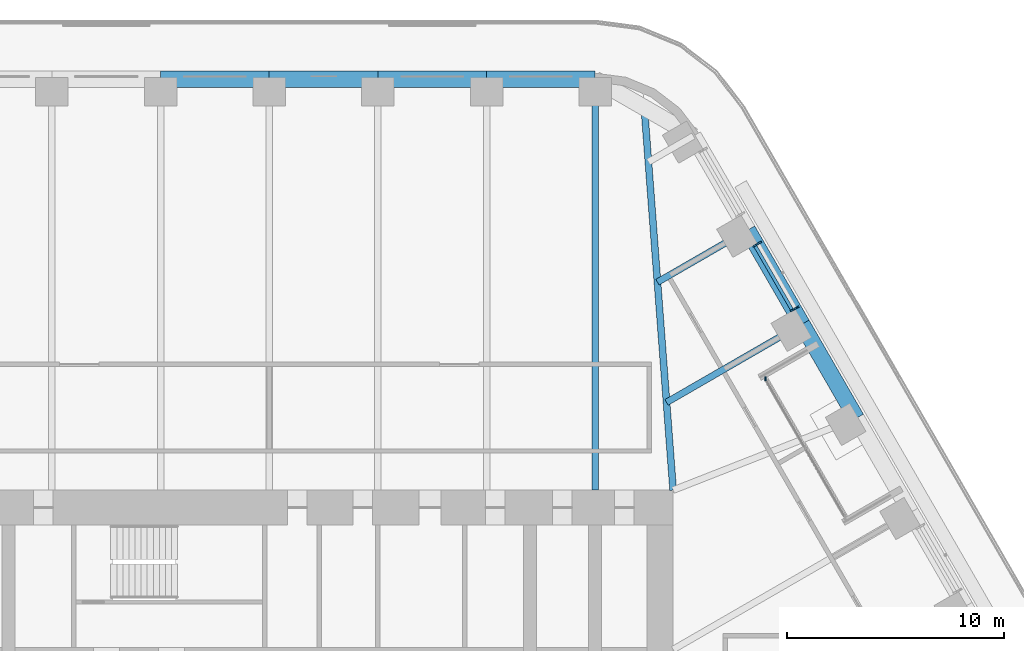
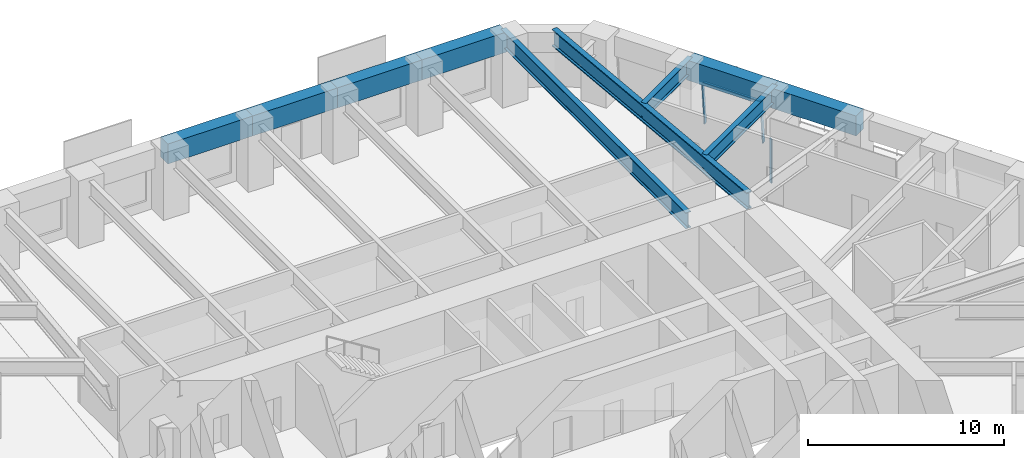
# One storey, part 12 of 24: 10 beams, 4 members, 2 elements without a shape of their own.
"""IFC4 building model written with IfcOpenShell, lengths in metres."""

import ifcopenshell
import ifcopenshell.guid

model = None  # the IFC model being written
_history = None  # IfcOwnerHistory: only IFC2X3 demands one
_inside = {}  # id of a spatial element -> (the spatial element, [elements in it])
_under = {}  # id of a project, library or spatial element -> (it, [spatial elements below it])
_declared = {}  # id of a project -> (the project, [libraries it declares])
_typed = {}  # id of a type object -> (the type object, [elements of that type])
_made_of = {}  # id of a material, layer set ... -> (it, [elements and type objects made of it])


def new_model(schema):
    """Start an empty IFC model of exactly this schema.

    Asked for "IFC4X3", IfcOpenShell would pick the latest addendum, in which some entities
    have other attributes; the version numbers below select the first issue.
    IFC2X3 requires an IfcOwnerHistory on every rooted entity: one is made here for all.
    """
    global model, _history
    if schema == "IFC4X3":
        model = ifcopenshell.file(schema_version=(4, 3, 0, 0))
    else:
        model = ifcopenshell.file(schema=schema)
    _inside.clear()
    _under.clear()
    _declared.clear()
    _typed.clear()
    _made_of.clear()
    _history = None
    if model.schema == "IFC2X3":
        org = make("IfcOrganization", Name="unknown")
        user = make(
            "IfcPersonAndOrganization",
            ThePerson=make("IfcPerson", FamilyName="unknown"),
            TheOrganization=org,
        )
        app = make(
            "IfcApplication",
            ApplicationDeveloper=org,
            Version="unknown",
            ApplicationFullName="unknown",
            ApplicationIdentifier="unknown",
        )
        _history = make(
            "IfcOwnerHistory",
            OwningUser=user,
            OwningApplication=app,
            ChangeAction="ADDED",
            CreationDate=0,
        )
    return model


def make(cls, **values):
    """One entity of the class cls with the attributes given. An attribute that is None is left unset."""
    return model.create_entity(
        cls, **{name: value for name, value in values.items() if value is not None}
    )


def rooted(cls, **values):
    """An entity with a GlobalId (a new one), such as an element, a storey or a relation."""
    return make(cls, GlobalId=ifcopenshell.guid.new(), OwnerHistory=_history, **values)


def si_unit(unit_type, name, prefix=None):
    """IfcSIUnit, for example si_unit("LENGTHUNIT", "METRE", prefix="MILLI")."""
    return make("IfcSIUnit", UnitType=unit_type, Prefix=prefix, Name=name)


def assignment(units):
    """IfcUnitAssignment: the units of a project."""
    return None if units is None else make("IfcUnitAssignment", Units=units)


def point(xyz):
    """IfcCartesianPoint."""
    return None if xyz is None else make("IfcCartesianPoint", Coordinates=xyz)


def direction(xyz):
    """IfcDirection."""
    return None if xyz is None else make("IfcDirection", DirectionRatios=xyz)


def frame(location, z_axis=None, x_axis=None):
    """IfcAxis2Placement3D, a coordinate frame: its origin and axes. An axis left out is left unset."""
    return make(
        "IfcAxis2Placement3D",
        Location=point(location),
        Axis=direction(z_axis),
        RefDirection=direction(x_axis),
    )


def frame_2d(location, x_axis=None):
    """IfcAxis2Placement2D, a coordinate frame in the plane: its origin and x axis."""
    return make(
        "IfcAxis2Placement2D", Location=point(location), RefDirection=direction(x_axis)
    )


def origin():
    """The frame at (0, 0, 0) with its axes left unset."""
    return frame((0.0, 0.0, 0.0))


def origin_2d():
    """The frame at (0, 0) in the plane with its x axis left unset."""
    return frame_2d((0.0, 0.0))


def place(relative_to, where):
    """IfcLocalPlacement: puts the frame where relative to a parent placement (None: the world)."""
    return make(
        "IfcLocalPlacement", PlacementRelTo=relative_to, RelativePlacement=where
    )


def context(
    kind, dimensions, precision=None, world=None, true_north=None, identifier=None
):
    """IfcGeometricRepresentationContext, for example the 3D "Model" context."""
    return make(
        "IfcGeometricRepresentationContext",
        ContextIdentifier=identifier,
        ContextType=kind,
        CoordinateSpaceDimension=dimensions,
        Precision=precision,
        WorldCoordinateSystem=world,
        TrueNorth=true_north,
    )


def subcontext(parent, identifier, kind, view, scale=None):
    """IfcGeometricRepresentationSubContext, for example "Body" below "Model"."""
    return make(
        "IfcGeometricRepresentationSubContext",
        ContextIdentifier=identifier,
        ContextType=kind,
        ParentContext=parent,
        TargetScale=scale,
        TargetView=view,
    )


def project(units=None, contexts=None):
    """IfcProject with its units and contexts."""
    return rooted(
        "IfcProject",
        Name="project",
        RepresentationContexts=contexts,
        UnitsInContext=assignment(units),
    )


def spatial(cls, under=None, at=None, **own):
    """A site, building, storey or space (cls), placed at a placement, below another one or the project."""
    s = rooted(cls, ObjectPlacement=at, **own)
    if under is not None:
        _under.setdefault(under.id(), (under, []))[1].append(s)
    return s


def profile(cls, at=None, kind="AREA", **sizes):
    """A parametric profile (cls). Its sizes go by their IFC names, for example OverallWidth=200.0."""
    return make(cls, ProfileType=kind, Position=at, **sizes)


def rectangle(**sizes):
    """IfcRectangleProfileDef."""
    return profile("IfcRectangleProfileDef", **sizes)


def i_section(**sizes):
    """IfcIShapeProfileDef."""
    return profile("IfcIShapeProfileDef", **sizes)


def extrude(swept, where, along, depth):
    """IfcExtrudedAreaSolid: the profile swept, set in the frame where, extruded along a direction by depth."""
    return make(
        "IfcExtrudedAreaSolid",
        SweptArea=swept,
        Position=where,
        ExtrudedDirection=direction(along),
        Depth=depth,
    )


def shape(context_of_items, identifier, shape_type, items):
    """IfcShapeRepresentation: the items that make up one representation, for example the "Body"."""
    return make(
        "IfcShapeRepresentation",
        ContextOfItems=context_of_items,
        RepresentationIdentifier=identifier,
        RepresentationType=shape_type,
        Items=items,
    )


def material(Name=None, Category=None):
    """IfcMaterial."""
    return make("IfcMaterial", Name=Name, Category=Category)


def material_profile(
    of_material, cross_section, Name=None, Category=None, Priority=None
):
    """IfcMaterialProfile: a cross section and its material."""
    return make(
        "IfcMaterialProfile",
        Name=Name,
        Material=of_material,
        Profile=cross_section,
        Priority=Priority,
        Category=Category,
    )


def profile_set(profiles, Name=None, composite=None):
    """IfcMaterialProfileSet."""
    return make(
        "IfcMaterialProfileSet",
        Name=Name,
        MaterialProfiles=profiles,
        CompositeProfile=composite,
    )


def made_of(thing, what):
    """Note that an element or type object is made of a material, layer set ...; save() writes the relation."""
    if what is not None:
        _made_of.setdefault(what.id(), (what, []))[1].append(thing)
    return thing


def type_object(cls, material=None, **own):
    """A type object (cls), such as IfcWallType, which elements share."""
    return made_of(rooted(cls, **own), material)


def element(
    cls,
    number,
    at=None,
    inside=None,
    cuts=None,
    type_object=None,
    material=None,
    context=None,
    identifier="Body",
    shape_type=None,
    held_by="IfcProductDefinitionShape",
    body=None,
    shapes=None,
    **own,
):
    """One element of the class cls, such as IfcWall. Its Tag is "e" and its number.

    at: its placement. inside: the storey or other place that contains it. cuts: it is an
    opening in that element (IfcRelVoidsElement). A single representation is given by context,
    identifier, shape_type and body (its items); several are given by shapes. held_by: the class
    of the entity that holds the representations. save() writes the other relations.
    """
    e = rooted(cls, Tag="e%d" % number, ObjectPlacement=at, **own)
    if body is not None:
        shapes = [shape(context, identifier, shape_type, body)]
    if shapes is not None:
        e.Representation = make(held_by, Representations=shapes)
    if inside is not None:
        _inside.setdefault(inside.id(), (inside, []))[1].append(e)
    if cuts is not None:
        rooted(
            "IfcRelVoidsElement", RelatingBuildingElement=cuts, RelatedOpeningElement=e
        )
    if type_object is not None:
        _typed.setdefault(type_object.id(), (type_object, []))[1].append(e)
    return made_of(e, material)


def aggregate(whole, parts):
    """IfcRelAggregates: a whole, such as a stair, and the parts it consists of."""
    return rooted("IfcRelAggregates", RelatingObject=whole, RelatedObjects=parts)


def save(model, path):
    """Write the relations noted so far, then the file.

    IfcRelAggregates (storeys below a building ...), IfcRelContainedInSpatialStructure (elements
    in a storey), IfcRelDefinesByType, IfcRelAssociatesMaterial and IfcRelDeclares: one each for
    every whole, place, type object, material and project.
    """
    for whole, parts in _under.values():
        aggregate(whole, parts)
    for where, things in _inside.values():
        rooted(
            "IfcRelContainedInSpatialStructure",
            RelatedElements=things,
            RelatingStructure=where,
        )
    for kind, things in _typed.values():
        rooted("IfcRelDefinesByType", RelatedObjects=things, RelatingType=kind)
    for what, things in _made_of.values():
        rooted("IfcRelAssociatesMaterial", RelatedObjects=things, RelatingMaterial=what)
    for by, libraries in _declared.values():
        rooted("IfcRelDeclares", RelatingContext=by, RelatedDefinitions=libraries)
    model.write(path)


model = new_model("IFC4")

# Units and contexts
model_context = context("Model", 3, precision=1e-05, world=origin(), true_north=direction((0.0, 1.0)))
body_context = subcontext(model_context, "Body", "Model", "MODEL_VIEW")
ifc_project = project(units=[si_unit("LENGTHUNIT", "METRE"), si_unit("AREAUNIT", "SQUARE_METRE"), si_unit("VOLUMEUNIT", "CUBIC_METRE"), si_unit("PLANEANGLEUNIT", "RADIAN"), si_unit("MASSUNIT", "GRAM", prefix="KILO")], contexts=[model_context])

# Site, building, storey
site_placement = place(None, origin())
site = spatial("IfcSite", under=ifc_project, at=site_placement, CompositionType="ELEMENT")
building_placement = place(site_placement, origin())
building = spatial("IfcBuilding", under=site, at=building_placement, Name="Tarfa Lantern Tower", CompositionType="ELEMENT")
storey_placement = place(building_placement, frame((0.0, 0.0, 190.89990234375)))
storey = spatial("IfcBuildingStorey", under=building, at=storey_placement, Name="L43", CompositionType="ELEMENT", Elevation=190.89990234375)

# Curtain wall, members
ifc_material_1 = material(Name="Aluminium framed curtain wall", Category="aluminium")
curtain_wall_type_1 = type_object("IfcCurtainWallType", Name="CW2 CANTED GLAZING MID ZONE 2750", PredefinedType="USERDEFINED", material=ifc_material_1)
curtain_wall_1_placement = place(storey_placement, origin())
curtain_wall_1 = element("IfcCurtainWall", 1, at=curtain_wall_1_placement, inside=storey, type_object=curtain_wall_type_1, Name="CW2 NEB L43", ObjectType="CURTAIN WALL", PredefinedType="USERDEFINED")
ifc_material_2 = material(Name="Aluminium mullion", Category="aluminium")
ifc_material_profile_1 = material_profile(ifc_material_2, rectangle(XDim=0.06494140625, YDim=0.199951171875, at=origin_2d()), Name="AL MULLION 65x200")
ifc_profile_set_1 = profile_set([ifc_material_profile_1], Name="Aluminium mullion")
member_type_1 = type_object("IfcMemberType", Name="CWM1 MULLION 65x200", PredefinedType="MULLION", material=ifc_profile_set_1)
member_1_placement = place(storey_placement, frame((24.300048828125, 20.7109375, 0.0), z_axis=(-0.078422950161, -0.045267813396, 0.995891894715), x_axis=(0.499919672301, -0.866071776036, 0.0)))
member_1 = element("IfcMember", 2, at=member_1_placement, type_object=member_type_1, Name="CW2 mullion 1", PredefinedType="MULLION", context=body_context, shape_type="SweptSolid", body=[
    extrude(rectangle(XDim=0.06494140625, YDim=0.199951171875, at=origin_2d()), origin(), (0.0, 0.0, 1.0), 2.76123046875),
])
member_2_placement = place(storey_placement, frame((22.580810546875, 23.68896484375, 0.0), z_axis=(-0.078422950161, -0.045267813396, 0.995891894715), x_axis=(0.499919672301, -0.866071776036, 0.0)))
member_2 = element("IfcMember", 3, at=member_2_placement, type_object=member_type_1, Name="CW2 mullion 2", PredefinedType="MULLION", context=body_context, shape_type="SweptSolid", body=[
    extrude(rectangle(XDim=0.06494140625, YDim=0.199951171875, at=origin_2d()), origin(), (0.0, 0.0, 1.0), 2.76123046875),
])

# Curtain wall, member
curtain_wall_type_2 = type_object("IfcCurtainWallType", Name="CW10 LOGGIA GLAZING 2750", PredefinedType="USERDEFINED", material=ifc_material_1)
curtain_wall_2_placement = place(storey_placement, origin())
curtain_wall_2 = element("IfcCurtainWall", 4, at=curtain_wall_2_placement, inside=storey, type_object=curtain_wall_type_2, Name="CW10 NEL L43", ObjectType="CURTAIN WALL", PredefinedType="USERDEFINED")
member_3_placement = place(storey_placement, frame((22.84619140625, 17.429443359375, 0.0), z_axis=(0.0, 0.0, 1.0), x_axis=(1.0, 0.0, 0.0)))
member_3 = element("IfcMember", 5, at=member_3_placement, type_object=member_type_1, Name="CW10 mullion 3", PredefinedType="MULLION", context=body_context, shape_type="SweptSolid", body=[
    extrude(rectangle(XDim=0.06494140625, YDim=0.199951171875, at=origin_2d()), origin(), (0.0, 0.0, 1.0), 2.75),
])
aggregate(curtain_wall_2, [member_3])

# Member
ifc_material_3 = material(Name="Aluminium transom", Category="aluminium")
ifc_material_profile_2 = material_profile(ifc_material_3, rectangle(XDim=0.14990234375, YDim=0.06494140625, at=origin_2d()), Name="AL TRANSOM 150x65")
ifc_profile_set_2 = profile_set([ifc_material_profile_2], Name="Aluminium transom")
member_type_2 = type_object("IfcMemberType", Name="CWT1 TRANSOM 150x65", PredefinedType="USERDEFINED", material=ifc_profile_set_2)
member_4_placement = place(storey_placement, frame((24.06982421875, 20.61572265625, 2.717529296875), z_axis=(-0.499991822116, 0.866030125237, 0.0), x_axis=(-0.866030125237, -0.499991822116, 0.0)))
member_4 = element("IfcMember", 6, at=member_4_placement, type_object=member_type_2, Name="CW2 transom 1.2", ObjectType="TRANSOM", PredefinedType="USERDEFINED", context=body_context, shape_type="SweptSolid", body=[
    extrude(rectangle(XDim=0.14990234375, YDim=0.06494140625, at=origin_2d()), origin(), (0.0, 0.0, 1.0), 3.37353515625),
])

aggregate(curtain_wall_1, [member_1, member_2, member_4])

# Beams
ifc_material_4 = material(Name="Concrete C80/95", Category="concrete")
ifc_material_profile_3 = material_profile(ifc_material_4, rectangle(XDim=0.75, YDim=1.25, at=origin_2d()), Name="RC 750x1250")
ifc_profile_set_3 = profile_set([ifc_material_profile_3], Name="Concrete C80/95")
beam_type_1 = type_object("IfcBeamType", Name="EB2 RC 750x1250", PredefinedType="SPANDREL", material=ifc_profile_set_3)
for number, where, z_axis, x_axis, name in (
    (7, (27.037353515625, 15.610107421875, 3.375), (-0.500022324899, 0.866012514114, 0.0), (-0.866012514114, -0.500022324899, 0.0), "Edge beam NE3"),
    (8, (24.535400390625, 19.943359375, 3.375), (-0.49998573051, 0.866033642122, 0.0), (-0.866033642122, -0.49998573051, 0.0), "Edge beam NE4"),
    (9, (15.010986328125, 31.219970703125, 3.375), (-1.0, 0.0, 0.0), (0.0, -1.0, 0.0), "Edge beam N0"),
    (10, (10.00732421875, 31.219970703125, 3.375), (-1.0, 0.0, 0.0), (0.0, -1.0, 0.0), "Edge beam N1"),
    (11, (5.003662109375, 31.219970703125, 3.375), (-1.0, 0.0, 0.0), (0.0, -1.0, 0.0), "Edge beam N2"),
    (12, (0.0, 31.219970703125, 3.375), (-1.0, 0.0, 0.0), (0.0, -1.0, 0.0), "Edge beam N3"),
):
    element("IfcBeam", number, at=place(storey_placement, frame(where, z_axis=z_axis, x_axis=x_axis)), inside=storey, type_object=beam_type_1, Name=name, PredefinedType="SPANDREL", context=body_context, shape_type="SweptSolid", body=[
        extrude(rectangle(XDim=0.75, YDim=1.25, at=origin_2d()), origin(), (0.0, 0.0, 1.0), 5.003662109375),
    ])
ifc_material_5 = material(Name="Steel S460M", Category="steel")
ifc_material_profile_4 = material_profile(ifc_material_5, i_section(OverallWidth=0.302001953125, OverallDepth=1.008056640625, WebThickness=0.02099609375, FlangeThickness=0.0400390625, FilletRadius=0.030029296875, at=origin_2d()), Name="UB1016x305x349")
ifc_profile_set_4 = profile_set([ifc_material_profile_4], Name="Steel S460M")
beam_type_2 = type_object("IfcBeamType", Name="UB1016x305x349", PredefinedType="BEAM", material=ifc_profile_set_4)
beam_1_placement = place(storey_placement, frame((15.010986328125, 31.219970703125, 3.49609375), z_axis=(0.0, -1.0, 0.0), x_axis=(1.0, 0.0, 0.0)))
element("IfcBeam", 13, at=beam_1_placement, inside=storey, type_object=beam_type_2, Name="Floor beam N0", PredefinedType="BEAM", context=body_context, shape_type="SweptSolid", body=[
    extrude(i_section(OverallWidth=0.302001953125, OverallDepth=1.008056640625, WebThickness=0.02099609375, FlangeThickness=0.0400390625, FilletRadius=0.030029296875, at=origin_2d()), origin(), (0.0, 0.0, 1.0), 18.919921875),
])
ifc_material_profile_5 = material_profile(ifc_material_5, i_section(OverallWidth=0.314208984375, OverallDepth=1.055908203125, WebThickness=0.035888671875, FlangeThickness=0.06396484375, FilletRadius=0.030029296875, at=origin_2d()), Name="UB1016x305x584")
ifc_profile_set_5 = profile_set([ifc_material_profile_5], Name="Steel S460M")
beam_type_3 = type_object("IfcBeamType", Name="UB1016x305x584", PredefinedType="BEAM", material=ifc_profile_set_5)
beam_2_placement = place(storey_placement, frame((18.60009765625, 12.300048828125, 3.47216796875), z_axis=(-0.075211516041, 0.99716760269, 0.0), x_axis=(-0.99716760269, -0.075211516041, 0.0)))
element("IfcBeam", 14, at=beam_2_placement, inside=storey, type_object=beam_type_3, Name="Hip girder NE", PredefinedType="BEAM", context=body_context, shape_type="SweptSolid", body=[
    extrude(i_section(OverallWidth=0.314208984375, OverallDepth=1.055908203125, WebThickness=0.035888671875, FlangeThickness=0.06396484375, FilletRadius=0.030029296875, at=origin_2d()), origin(), (0.0, 0.0, 1.0), 17.6650390625),
])
ifc_material_profile_6 = material_profile(ifc_material_5, i_section(OverallWidth=0.305419921875, OverallDepth=0.91845703125, WebThickness=0.017333984375, FlangeThickness=0.02783203125, FilletRadius=0.01904296875, at=origin_2d()), Name="UB914x305x253")
ifc_profile_set_6 = profile_set([ifc_material_profile_6], Name="Steel S460M")
beam_type_4 = type_object("IfcBeamType", Name="UB914x305x253", PredefinedType="BEAM", material=ifc_profile_set_6)
beam_3_placement = place(storey_placement, frame((24.535400390625, 19.943359375, 3.541015625), z_axis=(-0.86602647304, -0.499998147991, 0.0), x_axis=(0.499998147991, -0.86602647304, 0.0)))
element("IfcBeam", 15, at=beam_3_placement, inside=storey, type_object=beam_type_4, Name="Floor beam NE4", PredefinedType="BEAM", context=body_context, shape_type="SweptSolid", body=[
    extrude(i_section(OverallWidth=0.305419921875, OverallDepth=0.91845703125, WebThickness=0.017333984375, FlangeThickness=0.02783203125, FilletRadius=0.01904296875, at=origin_2d()), origin(), (0.0, 0.0, 1.0), 7.20556640625),
])
beam_4_placement = place(storey_placement, frame((22.03369140625, 24.276611328125, 3.541015625), z_axis=(-0.866030550462, -0.499991085587, 0.0), x_axis=(0.499991085587, -0.866030550462, 0.0)))
element("IfcBeam", 16, at=beam_4_placement, inside=storey, type_object=beam_type_4, Name="Floor beam NE5", PredefinedType="BEAM", context=body_context, shape_type="SweptSolid", body=[
    extrude(i_section(OverallWidth=0.305419921875, OverallDepth=0.91845703125, WebThickness=0.017333984375, FlangeThickness=0.02783203125, FilletRadius=0.01904296875, at=origin_2d()), origin(), (0.0, 0.0, 1.0), 4.798828125),
])

save(model, "model.ifc")
